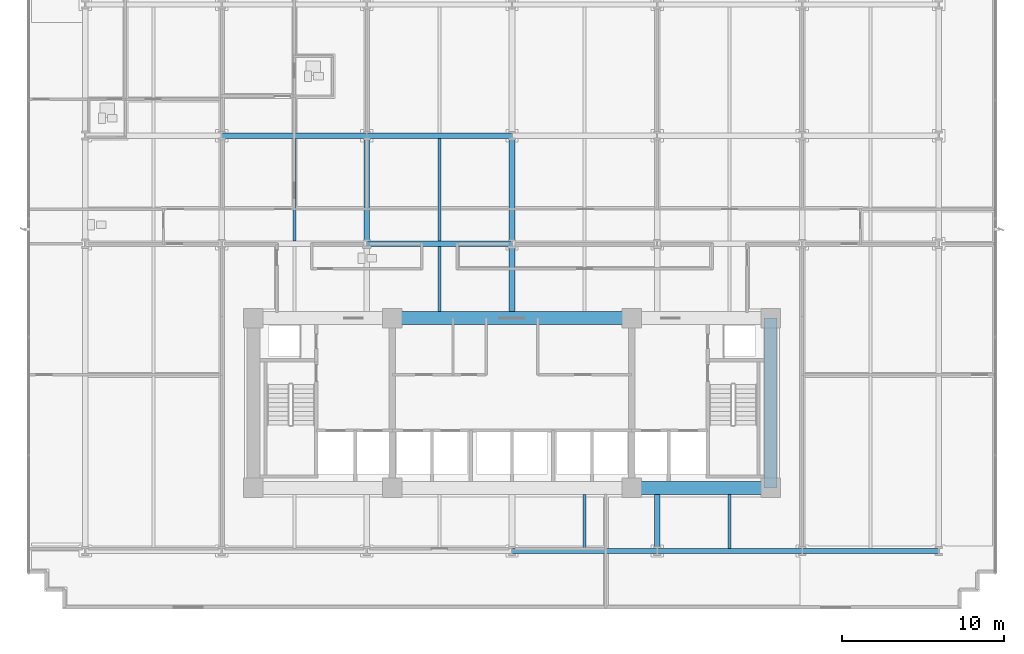
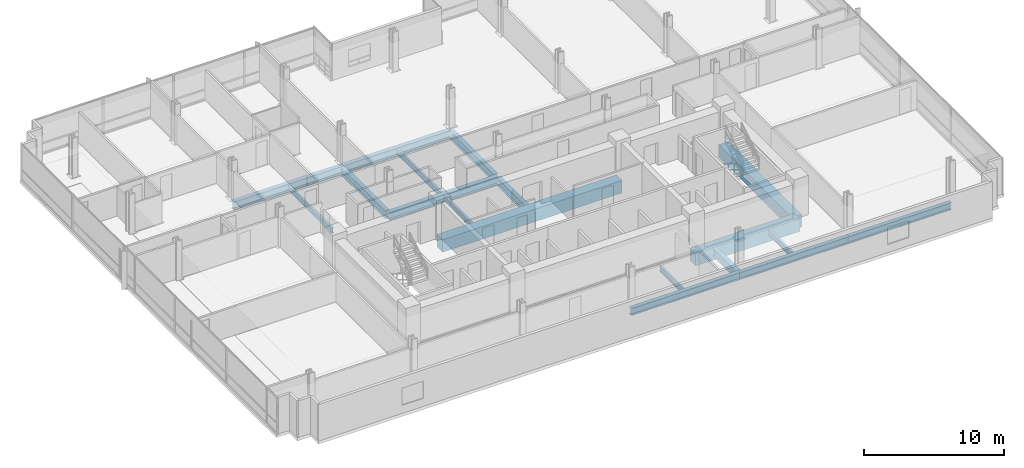
# One storey, part 5 of 21: 18 beams.
"""IFC4 building model written with IfcOpenShell, lengths in metres."""

from ifc_helpers import new_model, si_unit, direction, frame, origin, origin_2d, place, context, subcontext, project, spatial, rectangle, i_section, extrude, material, material_profile, profile_set, type_object, element, save


model = new_model("IFC4")

# Units and contexts
model_context = context("Model", 3, precision=1e-05, world=origin(), true_north=direction((0.0, 1.0)))
body_context = subcontext(model_context, "Body", "Model", "MODEL_VIEW")
ifc_project = project(units=[si_unit("LENGTHUNIT", "METRE"), si_unit("AREAUNIT", "SQUARE_METRE"), si_unit("VOLUMEUNIT", "CUBIC_METRE"), si_unit("PLANEANGLEUNIT", "RADIAN"), si_unit("MASSUNIT", "GRAM", prefix="KILO")], contexts=[model_context])

# Site, building, storey
site_placement = place(None, origin())
site = spatial("IfcSite", under=ifc_project, at=site_placement, CompositionType="ELEMENT")
building_placement = place(site_placement, origin())
building = spatial("IfcBuilding", under=site, at=building_placement, Name="Solmavex Isthmus Hotel", CompositionType="ELEMENT")
storey_placement = place(building_placement, frame((0.0, 0.0, 60.89990234375)))
storey = spatial("IfcBuildingStorey", under=building, at=storey_placement, Name="L16", CompositionType="ELEMENT", Elevation=60.89990234375)

# Beams
ifc_material_1 = material(Name="Steel ASTM A992 Grade 50", Category="steel")
ifc_material_profile_1 = material_profile(ifc_material_1, i_section(OverallWidth=0.354736328125, OverallDepth=0.695556640625, WebThickness=0.015380859375, FlangeThickness=0.02490234375, FilletRadius=0.017822265625, at=origin_2d()), Name="W27X146")
ifc_profile_set_1 = profile_set([ifc_material_profile_1], Name="Steel ASTM A992 Grade 50")
beam_type_1 = type_object("IfcBeamType", Name="BM-BG-W27X146", PredefinedType="BEAM", material=ifc_profile_set_1)
beam_1_placement = place(storey_placement, frame((-8.97607421875, 2.10009765625, -0.607666015625), z_axis=(1.0, 0.0, 0.0), x_axis=(0.0, 1.0, 0.0)))
element("IfcBeam", 1, at=beam_1_placement, inside=storey, type_object=beam_type_1, Name="Floor Girder L16-UG09", PredefinedType="BEAM", context=body_context, shape_type="SweptSolid", body=[
    extrude(i_section(OverallWidth=0.354736328125, OverallDepth=0.695556640625, WebThickness=0.015380859375, FlangeThickness=0.02490234375, FilletRadius=0.017822265625, at=origin_2d()), origin(), (0.0, 0.0, 1.0), 8.97607421875),
])
beam_2_placement = place(storey_placement, frame((-17.951904296875, 8.7880859375, -0.607666015625), z_axis=(1.0, 0.0, 0.0), x_axis=(0.0, 1.0, 0.0)))
element("IfcBeam", 2, at=beam_2_placement, inside=storey, type_object=beam_type_1, Name="Floor Girder L16-UG14", PredefinedType="BEAM", context=body_context, shape_type="SweptSolid", body=[
    extrude(i_section(OverallWidth=0.354736328125, OverallDepth=0.695556640625, WebThickness=0.015380859375, FlangeThickness=0.02490234375, FilletRadius=0.017822265625, at=origin_2d()), origin(), (0.0, 0.0, 1.0), 8.975830078125),
])
beam_3_placement = place(storey_placement, frame((-8.97607421875, 8.7880859375, -0.607666015625), z_axis=(1.0, 0.0, 0.0), x_axis=(0.0, 1.0, 0.0)))
element("IfcBeam", 3, at=beam_3_placement, inside=storey, type_object=beam_type_1, Name="Floor Girder L16-UG15", PredefinedType="BEAM", context=body_context, shape_type="SweptSolid", body=[
    extrude(i_section(OverallWidth=0.354736328125, OverallDepth=0.695556640625, WebThickness=0.015380859375, FlangeThickness=0.02490234375, FilletRadius=0.017822265625, at=origin_2d()), origin(), (0.0, 0.0, 1.0), 8.97607421875),
])
beam_4_placement = place(storey_placement, frame((-8.97607421875, 2.27734375, -0.607666015625), z_axis=(0.0, 1.0, 0.0), x_axis=(-1.0, 0.0, 0.0)))
element("IfcBeam", 4, at=beam_4_placement, inside=storey, type_object=beam_type_1, Name="Floor Beam L16-VG33", PredefinedType="BEAM", context=body_context, shape_type="SweptSolid", body=[
    extrude(i_section(OverallWidth=0.354736328125, OverallDepth=0.695556640625, WebThickness=0.015380859375, FlangeThickness=0.02490234375, FilletRadius=0.017822265625, at=origin_2d()), origin(), (0.0, 0.0, 1.0), 6.333251953125),
])
beam_5_placement = place(storey_placement, frame((0.0, -2.10009765625, -0.607666015625), z_axis=(0.0, 1.0, 0.0), x_axis=(-1.0, 0.0, 0.0)))
element("IfcBeam", 5, at=beam_5_placement, inside=storey, type_object=beam_type_1, Name="Floor Beam L16-VG36", PredefinedType="BEAM", context=body_context, shape_type="SweptSolid", body=[
    extrude(i_section(OverallWidth=0.354736328125, OverallDepth=0.695556640625, WebThickness=0.015380859375, FlangeThickness=0.02490234375, FilletRadius=0.017822265625, at=origin_2d()), origin(), (0.0, 0.0, 1.0), 4.022705078125),
])
beam_6_placement = place(storey_placement, frame((0.0, 2.27734375, -0.607666015625), z_axis=(0.0, 1.0, 0.0), x_axis=(-1.0, 0.0, 0.0)))
element("IfcBeam", 6, at=beam_6_placement, inside=storey, type_object=beam_type_1, Name="Floor Beam L16-VG37", PredefinedType="BEAM", context=body_context, shape_type="SweptSolid", body=[
    extrude(i_section(OverallWidth=0.354736328125, OverallDepth=0.695556640625, WebThickness=0.015380859375, FlangeThickness=0.02490234375, FilletRadius=0.017822265625, at=origin_2d()), origin(), (0.0, 0.0, 1.0), 6.333251953125),
])
beam_7_placement = place(storey_placement, frame((8.97607421875, -16.73681640625, -0.607666015625), z_axis=(0.0, 1.0, 0.0), x_axis=(-1.0, 0.0, 0.0)))
element("IfcBeam", 7, at=beam_7_placement, inside=storey, type_object=beam_type_1, Name="Floor Beam L16-VG39", PredefinedType="BEAM", context=body_context, shape_type="SweptSolid", body=[
    extrude(i_section(OverallWidth=0.354736328125, OverallDepth=0.695556640625, WebThickness=0.015380859375, FlangeThickness=0.02490234375, FilletRadius=0.017822265625, at=origin_2d()), origin(), (0.0, 0.0, 1.0), 3.3369140625),
])
ifc_material_profile_2 = material_profile(ifc_material_1, i_section(OverallWidth=0.1904296875, OverallDepth=0.456787109375, WebThickness=0.009033203125, FlangeThickness=0.014404296875, FilletRadius=0.0126953125, at=origin_2d()), Name="W18X50")
ifc_profile_set_2 = profile_set([ifc_material_profile_2], Name="Steel ASTM A992 Grade 50")
beam_type_2 = type_object("IfcBeamType", Name="BM-BJ-W18X50", PredefinedType="JOIST", material=ifc_profile_set_2)
beam_8_placement = place(storey_placement, frame((-13.464111328125, 2.27734375, -0.48828125), z_axis=(0.0, 1.0, 0.0), x_axis=(-1.0, 0.0, 0.0)))
element("IfcBeam", 8, at=beam_8_placement, inside=storey, type_object=beam_type_2, Name="Secondary Floor Joist L16-J06", PredefinedType="JOIST", context=body_context, shape_type="SweptSolid", body=[
    extrude(i_section(OverallWidth=0.1904296875, OverallDepth=0.456787109375, WebThickness=0.009033203125, FlangeThickness=0.014404296875, FilletRadius=0.0126953125, at=origin_2d()), origin(), (0.0, 0.0, 1.0), 6.333251953125),
])
beam_9_placement = place(storey_placement, frame((-4.488037109375, -2.10009765625, -0.48828125), z_axis=(0.0, 1.0, 0.0), x_axis=(-1.0, 0.0, 0.0)))
element("IfcBeam", 9, at=beam_9_placement, inside=storey, type_object=beam_type_2, Name="Secondary Floor Joist L16-J09", PredefinedType="JOIST", context=body_context, shape_type="SweptSolid", body=[
    extrude(i_section(OverallWidth=0.1904296875, OverallDepth=0.456787109375, WebThickness=0.009033203125, FlangeThickness=0.014404296875, FilletRadius=0.0126953125, at=origin_2d()), origin(), (0.0, 0.0, 1.0), 4.022705078125),
])
beam_10_placement = place(storey_placement, frame((-4.488037109375, 2.27734375, -0.48828125), z_axis=(0.0, 1.0, 0.0), x_axis=(-1.0, 0.0, 0.0)))
element("IfcBeam", 10, at=beam_10_placement, inside=storey, type_object=beam_type_2, Name="Secondary Floor Joist L16-J10", PredefinedType="JOIST", context=body_context, shape_type="SweptSolid", body=[
    extrude(i_section(OverallWidth=0.1904296875, OverallDepth=0.456787109375, WebThickness=0.009033203125, FlangeThickness=0.014404296875, FilletRadius=0.0126953125, at=origin_2d()), origin(), (0.0, 0.0, 1.0), 6.333251953125),
])
for number, where, z_axis, x_axis, name in (
    (11, (4.488037109375, -16.73681640625, -0.48828125), (0.0, 1.0, 0.0), (-1.0, 0.0, 0.0), "Secondary Floor Joist L16-J12"),
    (12, (13.464111328125, -16.73681640625, -0.48828125), (0.0, 1.0, 0.0), (-1.0, 0.0, 0.0), "Secondary Floor Joist L16-J16"),
):
    element("IfcBeam", number, at=place(storey_placement, frame(where, z_axis=z_axis, x_axis=x_axis)), inside=storey, type_object=beam_type_2, Name=name, PredefinedType="JOIST", context=body_context, shape_type="SweptSolid", body=[
        extrude(i_section(OverallWidth=0.1904296875, OverallDepth=0.456787109375, WebThickness=0.009033203125, FlangeThickness=0.014404296875, FilletRadius=0.0126953125, at=origin_2d()), origin(), (0.0, 0.0, 1.0), 3.3369140625),
    ])
ifc_material_2 = material(Name="Concrete C70/85", Category="concrete")
ifc_material_profile_3 = material_profile(ifc_material_2, rectangle(XDim=0.800048828125, YDim=1.10009765625, at=origin_2d()), Name="RC800X1100")
ifc_profile_set_3 = profile_set([ifc_material_profile_3], Name="Concrete C70/85")
beam_type_3 = type_object("IfcBeamType", Name="BM-CB-800X1100", PredefinedType="BEAM", material=ifc_profile_set_3)
beam_11_placement = place(storey_placement, frame((7.39990234375, -13.0, -0.809814453125), z_axis=(1.0, 0.0, 0.0), x_axis=(0.0, 1.0, 0.0)))
element("IfcBeam", 13, at=beam_11_placement, inside=storey, type_object=beam_type_3, Name="Core Coupling Beam L16-CB3", PredefinedType="BEAM", context=body_context, shape_type="SweptSolid", body=[
    extrude(rectangle(XDim=0.800048828125, YDim=1.10009765625, at=origin_2d()), origin(), (0.0, 0.0, 1.0), 8.60009765625),
])
beam_12_placement = place(storey_placement, frame((-7.39990234375, -2.5, -0.809814453125), z_axis=(1.0, 0.0, 0.0), x_axis=(0.0, 1.0, 0.0)))
element("IfcBeam", 14, at=beam_12_placement, inside=storey, type_object=beam_type_3, Name="Core Coupling Beam L16-CB5", PredefinedType="BEAM", context=body_context, shape_type="SweptSolid", body=[
    extrude(rectangle(XDim=0.800048828125, YDim=1.10009765625, at=origin_2d()), origin(), (0.0, 0.0, 1.0), 14.7998046875),
])
beam_13_placement = place(storey_placement, frame((16.0, -13.0, -0.809814453125), z_axis=(0.0, 1.0, 0.0), x_axis=(-1.0, 0.0, 0.0)))
element("IfcBeam", 15, at=beam_13_placement, inside=storey, type_object=beam_type_3, Name="Core Coupling Beam L16-CB8", PredefinedType="BEAM", context=body_context, shape_type="SweptSolid", body=[
    extrude(rectangle(XDim=0.800048828125, YDim=1.10009765625, at=origin_2d()), origin(), (0.0, 0.0, 1.0), 10.5),
])
ifc_material_profile_4 = material_profile(ifc_material_1, i_section(OverallWidth=0.326416015625, OverallDepth=0.621826171875, WebThickness=0.015380859375, FlangeThickness=0.0244140625, FilletRadius=0.01513671875, at=origin_2d()), Name="W24X131")
ifc_profile_set_4 = profile_set([ifc_material_profile_4], Name="Steel ASTM A992 Grade 50")
beam_type_4 = type_object("IfcBeamType", Name="BM-SP-W24X131", PredefinedType="SPANDREL", material=ifc_profile_set_4)
beam_14_placement = place(storey_placement, frame((0.0, -16.89990234375, -0.57080078125), z_axis=(1.0, 0.0, 0.0), x_axis=(0.0, 1.0, 0.0)))
element("IfcBeam", 16, at=beam_14_placement, inside=storey, type_object=beam_type_4, Name="Floor Girder L16-UG04", PredefinedType="SPANDREL", context=body_context, shape_type="SweptSolid", body=[
    extrude(i_section(OverallWidth=0.326416015625, OverallDepth=0.621826171875, WebThickness=0.015380859375, FlangeThickness=0.0244140625, FilletRadius=0.01513671875, at=origin_2d()), origin(), (0.0, 0.0, 1.0), 8.97607421875),
])
beam_15_placement = place(storey_placement, frame((8.97607421875, -16.89990234375, -0.57080078125), z_axis=(1.0, 0.0, 0.0), x_axis=(0.0, 1.0, 0.0)))
element("IfcBeam", 17, at=beam_15_placement, inside=storey, type_object=beam_type_4, Name="Floor Girder L16-UG05", PredefinedType="SPANDREL", context=body_context, shape_type="SweptSolid", body=[
    extrude(i_section(OverallWidth=0.326416015625, OverallDepth=0.621826171875, WebThickness=0.015380859375, FlangeThickness=0.0244140625, FilletRadius=0.01513671875, at=origin_2d()), origin(), (0.0, 0.0, 1.0), 8.975830078125),
])
beam_16_placement = place(storey_placement, frame((17.951904296875, -16.89990234375, -0.57080078125), z_axis=(1.0, 0.0, 0.0), x_axis=(0.0, 1.0, 0.0)))
element("IfcBeam", 18, at=beam_16_placement, inside=storey, type_object=beam_type_4, Name="Floor Girder L16-UG06", PredefinedType="SPANDREL", context=body_context, shape_type="SweptSolid", body=[
    extrude(i_section(OverallWidth=0.326416015625, OverallDepth=0.621826171875, WebThickness=0.015380859375, FlangeThickness=0.0244140625, FilletRadius=0.01513671875, at=origin_2d()), origin(), (0.0, 0.0, 1.0), 8.447998046875),
])

save(model, "model.ifc")
